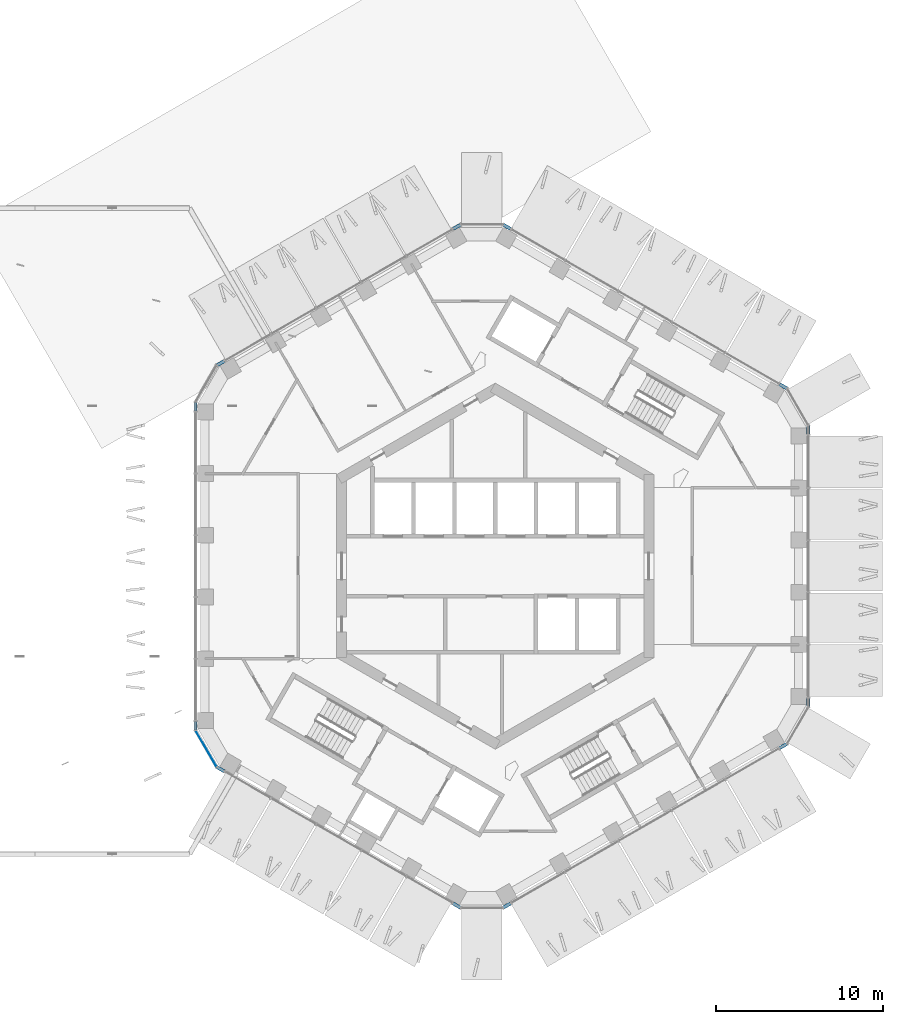
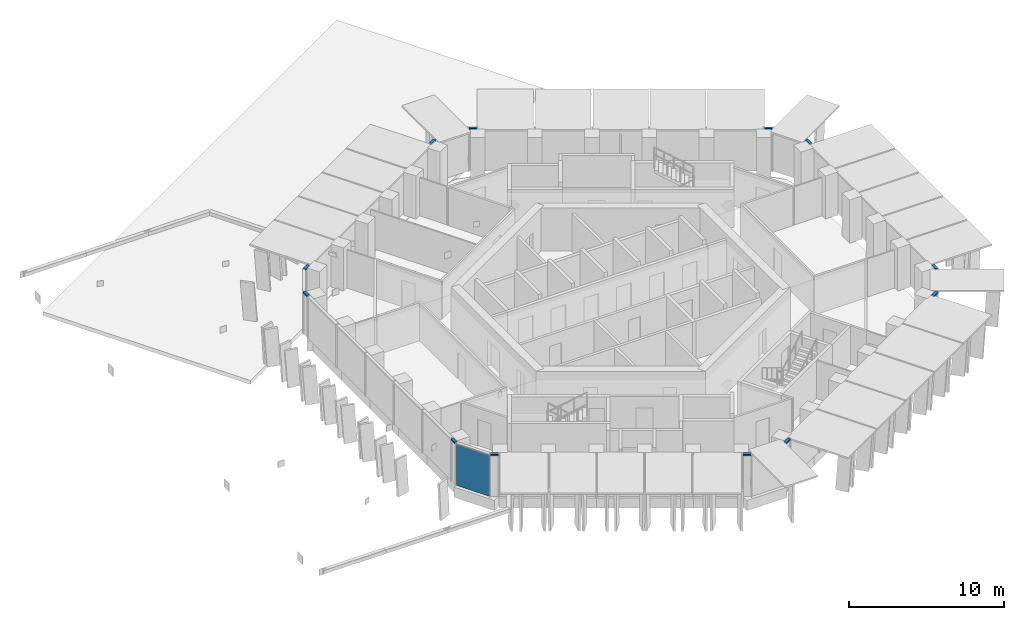
# One storey, part 6 of 23: 12 members, 1 plate, 6 elements without a shape of their own.
"""IFC4 building model written with IfcOpenShell, lengths in metres."""

from ifc_helpers import new_model, si_unit, direction, frame, origin, origin_2d, place, context, subcontext, project, spatial, rectangle, extrude, material, layer, layer_set, material_profile, profile_set, type_object, element, aggregate, save


model = new_model("IFC4")

# Units and contexts
model_context = context("Model", 3, precision=1e-05, world=origin(), true_north=direction((0.0, 1.0)))
body_context = subcontext(model_context, "Body", "Model", "MODEL_VIEW")
ifc_project = project(units=[si_unit("LENGTHUNIT", "METRE"), si_unit("AREAUNIT", "SQUARE_METRE"), si_unit("VOLUMEUNIT", "CUBIC_METRE"), si_unit("PLANEANGLEUNIT", "RADIAN"), si_unit("MASSUNIT", "GRAM", prefix="KILO")], contexts=[model_context])

# Site, building, storey
site_placement = place(None, origin())
site = spatial("IfcSite", under=ifc_project, at=site_placement, CompositionType="ELEMENT")
building_placement = place(site_placement, origin())
building = spatial("IfcBuilding", under=site, at=building_placement, Name="Ayvan Gate Tower", CompositionType="ELEMENT")
storey_placement = place(building_placement, frame((0.0, 0.0, 198.699951171875)))
storey = spatial("IfcBuildingStorey", under=building, at=storey_placement, Name="L53", CompositionType="ELEMENT", Elevation=198.699951171875)

# Curtain wall, members
ifc_material_1 = material(Name="Bronze anodised aluminium", Category="aluminium")
ifc_layer_1 = layer(ifc_material_1, 0.199951171875)
ifc_layer_set_1 = layer_set([ifc_layer_1], Name="Bronze anodised aluminium")
curtain_wall_type = type_object("IfcCurtainWallType", Name="Stick curtain wall CW-6", PredefinedType="NOTDEFINED", material=ifc_layer_set_1)
curtain_wall_1_placement = place(storey_placement, origin())
curtain_wall_1 = element("IfcCurtainWall", 1, at=curtain_wall_1_placement, inside=storey, type_object=curtain_wall_type, Name="Stick curtain wall CW-6 L53", PredefinedType="NOTDEFINED")
ifc_material_profile = material_profile(ifc_material_1, rectangle(XDim=0.199951171875, YDim=0.1201171875, at=origin_2d()), Name="Stick curtain wall CW-6 transom 200 x 120")
ifc_profile_set = profile_set([ifc_material_profile], Name="Bronze anodised aluminium")
member_type = type_object("IfcMemberType", Name="Stick curtain wall CW-6 transom 200 x 120", PredefinedType="USERDEFINED", material=ifc_profile_set)
member_1_placement = place(storey_placement, frame((-16.236572265625, 12.289794921875, 3.340087890625), z_axis=(-0.866071776036, -0.499919672301, 0.0), x_axis=(0.499919672301, -0.866071776036, 0.0)))
member_1 = element("IfcMember", 2, at=member_1_placement, type_object=member_type, Name="CW-6 transom 1", ObjectType="TRANSOM", PredefinedType="USERDEFINED", context=body_context, shape_type="SweptSolid", body=[
    extrude(rectangle(XDim=0.199951171875, YDim=0.1201171875, at=origin_2d()), origin(), (0.0, 0.0, 1.0), 0.5),
])
member_2_placement = place(storey_placement, frame((-17.95849609375, 9.80712890625, 3.340087890625), z_axis=(0.0, -1.0, 0.0), x_axis=(1.0, 0.0, 0.0)))
member_2 = element("IfcMember", 3, at=member_2_placement, type_object=member_type, Name="CW-6 transom 3", ObjectType="TRANSOM", PredefinedType="USERDEFINED", context=body_context, shape_type="SweptSolid", body=[
    extrude(rectangle(XDim=0.199951171875, YDim=0.1201171875, at=origin_2d()), origin(), (0.0, 0.0, 1.0), 0.5),
])
aggregate(curtain_wall_1, [member_1, member_2])

curtain_wall_2_placement = place(storey_placement, origin())
curtain_wall_2 = element("IfcCurtainWall", 4, at=curtain_wall_2_placement, inside=storey, type_object=curtain_wall_type, Name="Stick curtain wall CW-6 L53", PredefinedType="NOTDEFINED")
member_3_placement = place(storey_placement, frame((-17.95849609375, -9.30712890625, 3.340087890625), z_axis=(0.0, -1.0, 0.0), x_axis=(1.0, 0.0, 0.0)))
member_3 = element("IfcMember", 5, at=member_3_placement, type_object=member_type, Name="CW-6 transom 1", ObjectType="TRANSOM", PredefinedType="USERDEFINED", context=body_context, shape_type="SweptSolid", body=[
    extrude(rectangle(XDim=0.199951171875, YDim=0.1201171875, at=origin_2d()), origin(), (0.0, 0.0, 1.0), 0.5),
])
member_4_placement = place(storey_placement, frame((-16.669677734375, -12.039794921875, 3.340087890625), z_axis=(0.866071776036, -0.499919672301, 0.0), x_axis=(0.499919672301, 0.866071776036, 0.0)))
member_4 = element("IfcMember", 6, at=member_4_placement, type_object=member_type, Name="CW-6 transom 3", ObjectType="TRANSOM", PredefinedType="USERDEFINED", context=body_context, shape_type="SweptSolid", body=[
    extrude(rectangle(XDim=0.199951171875, YDim=0.1201171875, at=origin_2d()), origin(), (0.0, 0.0, 1.0), 0.5),
])

curtain_wall_3_placement = place(storey_placement, origin())
curtain_wall_3 = element("IfcCurtainWall", 7, at=curtain_wall_3_placement, inside=storey, type_object=curtain_wall_type, Name="Stick curtain wall CW-6 L53", PredefinedType="NOTDEFINED")
member_5_placement = place(storey_placement, frame((-2.52490234375, -20.206298828125, 3.340087890625), z_axis=(0.866071776036, -0.499919672301, 0.0), x_axis=(0.499919672301, 0.866071776036, 0.0)))
member_5 = element("IfcMember", 8, at=member_5_placement, type_object=member_type, Name="CW-6 transom 1", ObjectType="TRANSOM", PredefinedType="USERDEFINED", context=body_context, shape_type="SweptSolid", body=[
    extrude(rectangle(XDim=0.199951171875, YDim=0.1201171875, at=origin_2d()), origin(), (0.0, 0.0, 1.0), 0.5),
])
member_6_placement = place(storey_placement, frame((0.486083984375, -20.456298828125, 3.340087890625), z_axis=(0.865949687125, 0.500131122175, 0.0), x_axis=(-0.500131122175, 0.865949687125, 0.0)))
member_6 = element("IfcMember", 9, at=member_6_placement, type_object=member_type, Name="CW-6 transom 2", ObjectType="TRANSOM", PredefinedType="USERDEFINED", context=body_context, shape_type="SweptSolid", body=[
    extrude(rectangle(XDim=0.199951171875, YDim=0.1201171875, at=origin_2d()), origin(), (0.0, 0.0, 1.0), 0.499755859375),
])
aggregate(curtain_wall_3, [member_5, member_6])

curtain_wall_4_placement = place(storey_placement, origin())
curtain_wall_4 = element("IfcCurtainWall", 10, at=curtain_wall_4_placement, inside=storey, type_object=curtain_wall_type, Name="Stick curtain wall CW-6 L53", PredefinedType="NOTDEFINED")
member_7_placement = place(storey_placement, frame((17.03955078125, -10.89892578125, 3.340087890625), z_axis=(0.866071776036, 0.499919672301, 0.0), x_axis=(-0.499919672301, 0.866071776036, 0.0)))
member_7 = element("IfcMember", 11, at=member_7_placement, type_object=member_type, Name="CW-6 transom 1", ObjectType="TRANSOM", PredefinedType="USERDEFINED", context=body_context, shape_type="SweptSolid", body=[
    extrude(rectangle(XDim=0.199951171875, YDim=0.1201171875, at=origin_2d()), origin(), (0.0, 0.0, 1.0), 0.5),
])
member_8_placement = place(storey_placement, frame((18.761474609375, -8.41650390625, 3.340087890625), z_axis=(0.0, 1.0, 0.0), x_axis=(-1.0, 0.0, 0.0)))
member_8 = element("IfcMember", 12, at=member_8_placement, type_object=member_type, Name="CW-6 transom 2", ObjectType="TRANSOM", PredefinedType="USERDEFINED", context=body_context, shape_type="SweptSolid", body=[
    extrude(rectangle(XDim=0.199951171875, YDim=0.1201171875, at=origin_2d()), origin(), (0.0, 0.0, 1.0), 0.5),
])
aggregate(curtain_wall_4, [member_7, member_8])

curtain_wall_5_placement = place(storey_placement, origin())
curtain_wall_5 = element("IfcCurtainWall", 13, at=curtain_wall_5_placement, inside=storey, type_object=curtain_wall_type, Name="Stick curtain wall CW-6 L53", PredefinedType="NOTDEFINED")
member_9_placement = place(storey_placement, frame((18.761474609375, 7.91650390625, 3.340087890625), z_axis=(0.0, 1.0, 0.0), x_axis=(-1.0, 0.0, 0.0)))
member_9 = element("IfcMember", 14, at=member_9_placement, type_object=member_type, Name="CW-6 transom 1", ObjectType="TRANSOM", PredefinedType="USERDEFINED", context=body_context, shape_type="SweptSolid", body=[
    extrude(rectangle(XDim=0.199951171875, YDim=0.1201171875, at=origin_2d()), origin(), (0.0, 0.0, 1.0), 0.5),
])
member_10_placement = place(storey_placement, frame((17.47265625, 10.64892578125, 3.340087890625), z_axis=(-0.866071776036, 0.499919672301, 0.0), x_axis=(-0.499919672301, -0.866071776036, 0.0)))
member_10 = element("IfcMember", 15, at=member_10_placement, type_object=member_type, Name="CW-6 transom 2", ObjectType="TRANSOM", PredefinedType="USERDEFINED", context=body_context, shape_type="SweptSolid", body=[
    extrude(rectangle(XDim=0.199951171875, YDim=0.1201171875, at=origin_2d()), origin(), (0.0, 0.0, 1.0), 0.5),
])
aggregate(curtain_wall_5, [member_9, member_10])

curtain_wall_6_placement = place(storey_placement, origin())
curtain_wall_6 = element("IfcCurtainWall", 16, at=curtain_wall_6_placement, inside=storey, type_object=curtain_wall_type, Name="Stick curtain wall CW-6 L53", PredefinedType="NOTDEFINED")
member_11_placement = place(storey_placement, frame((0.9189453125, 20.206298828125, 3.340087890625), z_axis=(-0.865949687125, 0.500131122175, 0.0), x_axis=(-0.500131122175, -0.865949687125, 0.0)))
member_11 = element("IfcMember", 17, at=member_11_placement, type_object=member_type, Name="CW-6 transom 1", ObjectType="TRANSOM", PredefinedType="USERDEFINED", context=body_context, shape_type="SweptSolid", body=[
    extrude(rectangle(XDim=0.199951171875, YDim=0.1201171875, at=origin_2d()), origin(), (0.0, 0.0, 1.0), 0.499755859375),
])
member_12_placement = place(storey_placement, frame((-2.091796875, 20.456298828125, 3.340087890625), z_axis=(-0.866071776036, -0.499919672301, 0.0), x_axis=(0.499919672301, -0.866071776036, 0.0)))
member_12 = element("IfcMember", 18, at=member_12_placement, type_object=member_type, Name="CW-6 transom 2", ObjectType="TRANSOM", PredefinedType="USERDEFINED", context=body_context, shape_type="SweptSolid", body=[
    extrude(rectangle(XDim=0.199951171875, YDim=0.1201171875, at=origin_2d()), origin(), (0.0, 0.0, 1.0), 0.5),
])
aggregate(curtain_wall_6, [member_11, member_12])

# Plate
ifc_material_2 = material(Name="Clear low-iron laminated glass", Category="glass")
ifc_layer_2 = layer(ifc_material_2, 0.028076171875)
ifc_layer_set_2 = layer_set([ifc_layer_2], Name="Clear low-iron laminated glass")
plate_type = type_object("IfcPlateType", Name="Stick curtain wall CW-6 glass panel", PredefinedType="CURTAIN_PANEL", material=ifc_layer_set_2)
plate_placement = place(storey_placement, frame((-17.324951171875, -10.9296875, 0.0), z_axis=(0.0, 0.0, 1.0), x_axis=(0.5, -0.866025403784, 0.0)))
plate = element("IfcPlate", 19, at=plate_placement, type_object=plate_type, Name="CW-6 glass panel 2", PredefinedType="CURTAIN_PANEL", context=body_context, shape_type="SweptSolid", body=[
    extrude(rectangle(XDim=2.484619140625, YDim=0.028076171875, at=origin_2d()), origin(), (0.0, 0.0, 1.0), 3.280029296875),
])

aggregate(curtain_wall_2, [member_3, member_4, plate])

save(model, "model.ifc")
